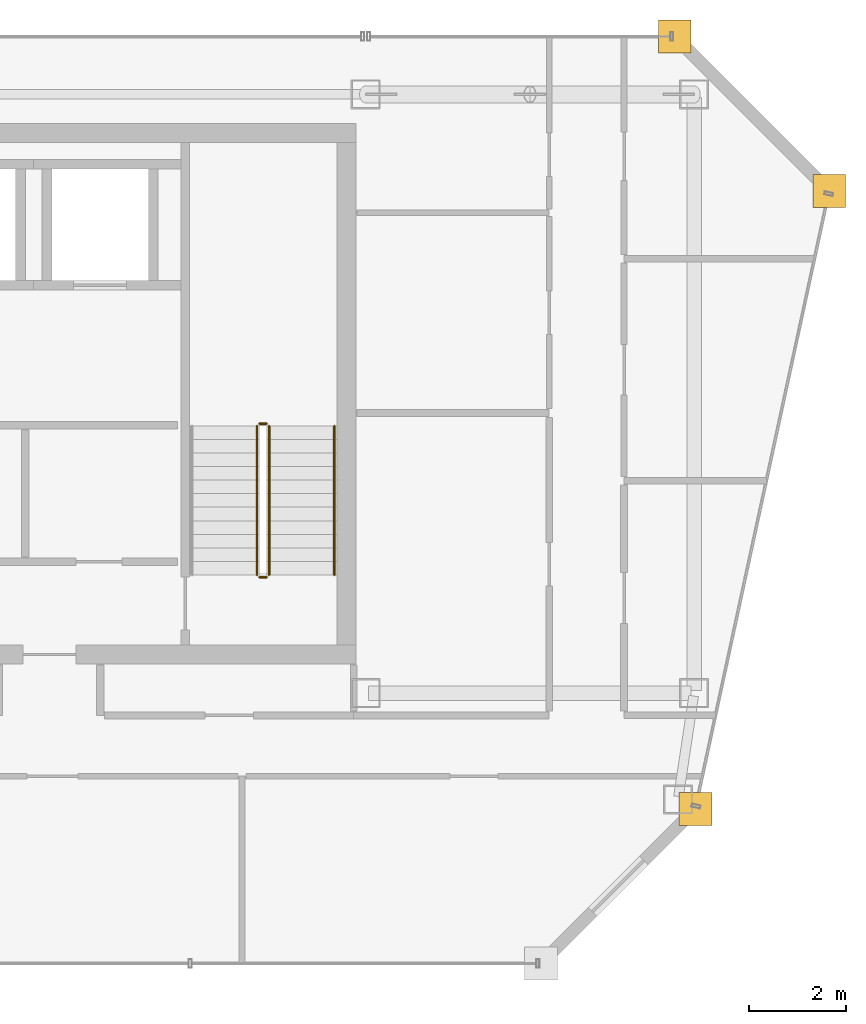
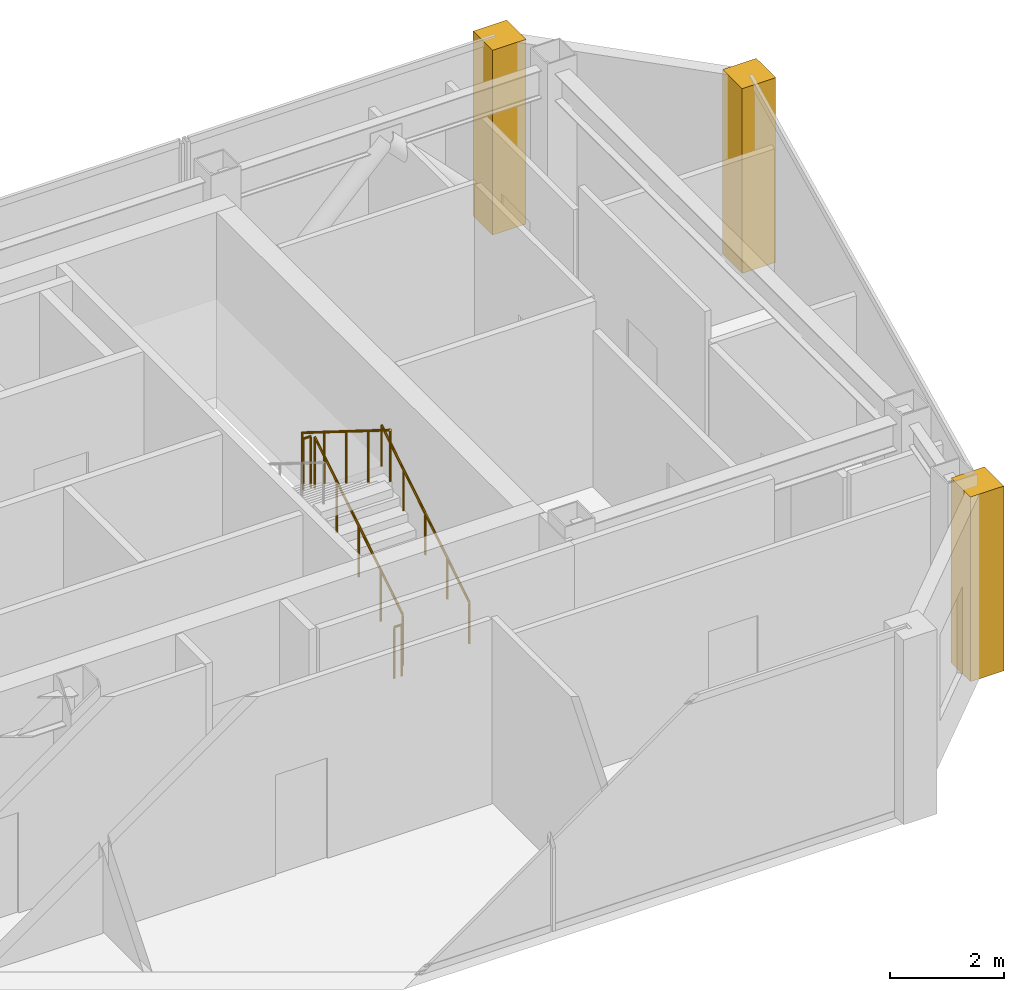
# One storey, part 20 of 20: 5 railings, 3 coverings.
"""IFC4 building model written with IfcOpenShell, lengths in metres."""

from ifc_helpers import new_model, si_unit, direction, frame, origin, origin_2d, place, context, subcontext, project, spatial, polyline, circle, outline, extrude, material, layer, layer_set, type_object, element, save


model = new_model("IFC4")

# Units and contexts
model_context = context("Model", 3, precision=1e-05, world=origin(), true_north=direction((0.0, 1.0)))
body_context = subcontext(model_context, "Body", "Model", "MODEL_VIEW")
ifc_project = project(units=[si_unit("LENGTHUNIT", "METRE"), si_unit("AREAUNIT", "SQUARE_METRE"), si_unit("VOLUMEUNIT", "CUBIC_METRE"), si_unit("PLANEANGLEUNIT", "RADIAN"), si_unit("MASSUNIT", "GRAM", prefix="KILO")], contexts=[model_context])

# Site, building, storey
site_placement = place(None, origin())
site = spatial("IfcSite", under=ifc_project, at=site_placement, CompositionType="ELEMENT")
building_placement = place(site_placement, origin())
building = spatial("IfcBuilding", under=site, at=building_placement, Name="Saevonmaru Cultural Tower", CompositionType="ELEMENT")
storey_placement = place(building_placement, frame((0.0, 0.0, 319.199951171875)))
storey = spatial("IfcBuildingStorey", under=building, at=storey_placement, Name="L76", CompositionType="ELEMENT", Elevation=319.199951171875)

# Coverings
ifc_material_1 = material(Name="Satin Bronze Anodised Aluminium", Category="aluminium")
ifc_layer = layer(ifc_material_1, 0.679931640625, Name="Satin Bronze Anodised Aluminium")
ifc_layer_set = layer_set([ifc_layer], Name="Satin Bronze Anodised Aluminium")
covering_type = type_object("IfcCoveringType", Name="CV-CORNER-CLAD", PredefinedType="CLADDING", material=ifc_layer_set)
covering_1_placement = place(storey_placement, origin())
element("IfcCovering", 1, at=covering_1_placement, inside=storey, type_object=covering_type, Name="L76 Tower Bronze Corner Cladding Pier 8", PredefinedType="CLADDING", context=body_context, shape_type="SweptSolid", body=[
    extrude(outline(polyline([(52.886962890625, 39.659912109375), (53.56689453125, 39.659912109375), (53.56689453125, 40.340087890625), (52.886962890625, 40.340087890625), (52.886962890625, 39.659912109375)])), origin(), (0.0, 0.0, 1.0), 3.949951171875),
])
covering_2_placement = place(storey_placement, origin())
element("IfcCovering", 2, at=covering_2_placement, inside=storey, type_object=covering_type, Name="L76 Tower Bronze Corner Cladding Pier 9", PredefinedType="CLADDING", context=body_context, shape_type="SweptSolid", body=[
    extrude(outline(polyline([(55.659912109375, 52.4599609375), (56.340087890625, 52.4599609375), (56.340087890625, 53.139892578125), (55.659912109375, 53.139892578125), (55.659912109375, 52.4599609375)])), origin(), (0.0, 0.0, 1.0), 3.949951171875),
])
covering_3_placement = place(storey_placement, origin())
element("IfcCovering", 3, at=covering_3_placement, inside=storey, type_object=covering_type, Name="L76 Tower Bronze Corner Cladding Pier 10", PredefinedType="CLADDING", context=body_context, shape_type="SweptSolid", body=[
    extrude(outline(polyline([(52.4599609375, 55.659912109375), (53.139892578125, 55.659912109375), (53.139892578125, 56.340087890625), (52.4599609375, 56.340087890625), (52.4599609375, 55.659912109375)])), origin(), (0.0, 0.0, 1.0), 3.949951171875),
])

# Railings
ifc_material_2 = material(Name="Architectural Painted Steel", Category="steel")
railing_type_1 = type_object("IfcRailingType", Name="RL-STAIR-GUARD", PredefinedType="GUARDRAIL", material=ifc_material_2)
railing_1_placement = place(storey_placement, frame((44.39990234375, 44.85009765625, 0.175048828125)))
element("IfcRailing", 4, at=railing_1_placement, inside=storey, type_object=railing_type_1, Name="L76 ST-2 stair guard 1", PredefinedType="GUARDRAIL", context=body_context, shape_type="SweptSolid", body=[
    extrude(circle(Radius=0.02392578125, at=origin_2d()), frame((0.0, 0.0, 1.09619140625), z_axis=(0.0, 0.847979421464, 0.530029150871), x_axis=(-1.0, 0.0, 0.0)), (0.0, 0.0, 1.0), 3.632080078125),
    extrude(circle(Radius=0.02099609375, at=origin_2d()), origin(), (0.0, 0.0, 1.0), 1.072021484375),
    extrude(circle(Radius=0.02099609375, at=origin_2d()), frame((0.0, 0.77001953125, 0.481201171875)), (0.0, 0.0, 1.0), 1.072021484375),
    extrude(circle(Radius=0.02099609375, at=origin_2d()), frame((0.0, 1.5400390625, 0.96240234375)), (0.0, 0.0, 1.0), 1.072021484375),
    extrude(circle(Radius=0.02099609375, at=origin_2d()), frame((0.0, 2.309814453125, 1.44384765625)), (0.0, 0.0, 1.0), 1.072021484375),
    extrude(circle(Radius=0.02099609375, at=origin_2d()), frame((0.0, 3.079833984375, 1.925048828125)), (0.0, 0.0, 1.0), 1.072021484375),
])
railing_2_placement = place(storey_placement, frame((44.35009765625, 47.97998046875, 2.10009765625)))
element("IfcRailing", 5, at=railing_2_placement, inside=storey, type_object=railing_type_1, Name="L76 ST-2 stair guard 2", PredefinedType="GUARDRAIL", context=body_context, shape_type="SweptSolid", body=[
    extrude(circle(Radius=0.02392578125, at=origin_2d()), frame((0.0, 0.0, 1.09619140625), z_axis=(-1.0, 0.0, 0.0), x_axis=(0.0, -1.0, 0.0)), (0.0, 0.0, 1.0), 0.150146484375),
    extrude(circle(Radius=0.02099609375, at=origin_2d()), origin(), (0.0, 0.0, 1.0), 1.072021484375),
    extrude(circle(Radius=0.02099609375, at=origin_2d()), frame((-0.150146484375, 0.0, 0.0)), (0.0, 0.0, 1.0), 1.072021484375),
])
railing_3_placement = place(storey_placement, frame((44.14990234375, 47.929931640625, 2.275146484375)))
element("IfcRailing", 6, at=railing_3_placement, inside=storey, type_object=railing_type_1, Name="L76 ST-2 stair guard 3", PredefinedType="GUARDRAIL", context=body_context, shape_type="SweptSolid", body=[
    extrude(circle(Radius=0.02392578125, at=origin_2d()), frame((0.0, 0.0, 1.09619140625), z_axis=(0.0, -0.848009633417, 0.529980812513), x_axis=(1.0, 0.0, 0.0)), (0.0, 0.0, 1.0), 3.6318359375),
    extrude(circle(Radius=0.02099609375, at=origin_2d()), origin(), (0.0, 0.0, 1.0), 1.072021484375),
    extrude(circle(Radius=0.02099609375, at=origin_2d()), frame((0.0, -0.77001953125, 0.481201171875)), (0.0, 0.0, 1.0), 1.072021484375),
    extrude(circle(Radius=0.02099609375, at=origin_2d()), frame((0.0, -1.5400390625, 0.96240234375)), (0.0, 0.0, 1.0), 1.072021484375),
    extrude(circle(Radius=0.02099609375, at=origin_2d()), frame((0.0, -2.309814453125, 1.443603515625)), (0.0, 0.0, 1.0), 1.072021484375),
    extrude(circle(Radius=0.02099609375, at=origin_2d()), frame((0.0, -3.079833984375, 1.9248046875)), (0.0, 0.0, 1.0), 1.072021484375),
])
railing_4_placement = place(storey_placement, frame((44.35009765625, 44.800048828125, 0.0)))
element("IfcRailing", 7, at=railing_4_placement, inside=storey, type_object=railing_type_1, Name="L76 ST-2 stair guard 4", PredefinedType="GUARDRAIL", context=body_context, shape_type="SweptSolid", body=[
    extrude(circle(Radius=0.02392578125, at=origin_2d()), frame((0.0, 0.0, 1.09619140625), z_axis=(-1.0, 0.0, 0.0), x_axis=(0.0, -1.0, 0.0)), (0.0, 0.0, 1.0), 0.150146484375),
    extrude(circle(Radius=0.02099609375, at=origin_2d()), origin(), (0.0, 0.0, 1.0), 1.072021484375),
    extrude(circle(Radius=0.02099609375, at=origin_2d()), frame((-0.150146484375, 0.0, 0.0)), (0.0, 0.0, 1.0), 1.072021484375),
])
railing_type_2 = type_object("IfcRailingType", Name="RL-STAIR-HANDRAIL", PredefinedType="HANDRAIL", material=ifc_material_1)
railing_5_placement = place(storey_placement, frame((45.75, 44.85009765625, 0.175048828125)))
element("IfcRailing", 8, at=railing_5_placement, inside=storey, type_object=railing_type_2, Name="L76 ST-2 stair handrail 1", PredefinedType="HANDRAIL", context=body_context, shape_type="SweptSolid", body=[
    extrude(circle(Radius=0.02392578125, at=origin_2d()), frame((0.0, 0.0, 0.8759765625), z_axis=(0.0, 0.847979421464, 0.530029150871), x_axis=(-1.0, 0.0, 0.0)), (0.0, 0.0, 1.0), 3.632080078125),
    extrude(circle(Radius=0.02099609375, at=origin_2d()), origin(), (0.0, 0.0, 1.0), 0.851806640625),
    extrude(circle(Radius=0.02099609375, at=origin_2d()), frame((0.0, 0.77001953125, 0.481201171875)), (0.0, 0.0, 1.0), 0.851806640625),
    extrude(circle(Radius=0.02099609375, at=origin_2d()), frame((0.0, 1.5400390625, 0.96240234375)), (0.0, 0.0, 1.0), 0.851806640625),
    extrude(circle(Radius=0.02099609375, at=origin_2d()), frame((0.0, 2.309814453125, 1.44384765625)), (0.0, 0.0, 1.0), 0.851806640625),
    extrude(circle(Radius=0.02099609375, at=origin_2d()), frame((0.0, 3.079833984375, 1.925048828125)), (0.0, 0.0, 1.0), 0.851806640625),
])

save(model, "model.ifc")
